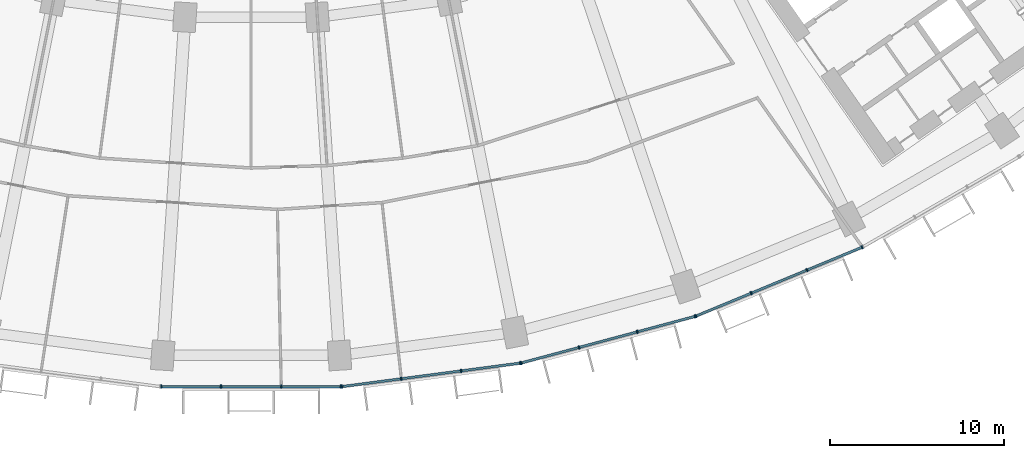
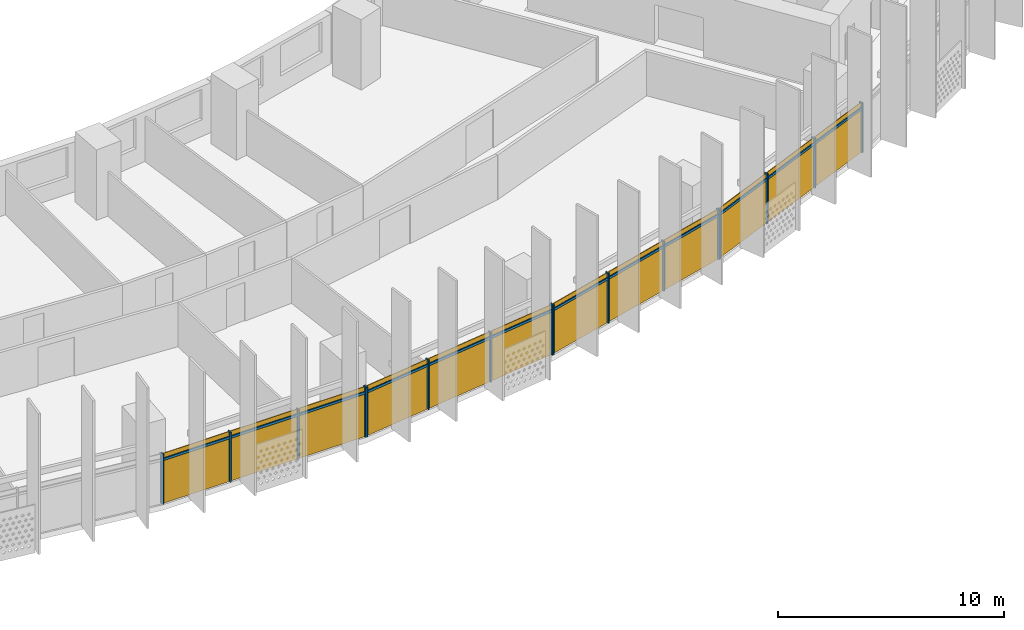
# One storey, part 22 of 33: 28 members, 4 curtain walls.
"""IFC4 building model written with IfcOpenShell, lengths in metres."""

from ifc_helpers import new_model, si_unit, direction, frame, origin, origin_2d, place, context, subcontext, project, spatial, rectangle, extrude, material, material_profile, profile_set, type_object, element, aggregate, save


model = new_model("IFC4")

# Units and contexts
model_context = context("Model", 3, precision=1e-05, world=origin(), true_north=direction((0.0, 1.0)))
body_context = subcontext(model_context, "Body", "Model", "MODEL_VIEW")
ifc_project = project(units=[si_unit("LENGTHUNIT", "METRE"), si_unit("AREAUNIT", "SQUARE_METRE"), si_unit("VOLUMEUNIT", "CUBIC_METRE"), si_unit("PLANEANGLEUNIT", "RADIAN"), si_unit("MASSUNIT", "GRAM", prefix="KILO")], contexts=[model_context])

# Member
ifc_material = material(Name="Aluminium 6063-T6 anodised", Category="aluminium")
ifc_material_profile_1 = material_profile(ifc_material, rectangle(XDim=0.199951171875, YDim=0.070068359375, at=origin_2d()))
ifc_profile_set_1 = profile_set([ifc_material_profile_1], Name="Aluminium 6063-T6 anodised")
member_type_1 = type_object("IfcMemberType", Name="Mullion 70 x 200 aluminium", PredefinedType="MULLION", material=ifc_profile_set_1)
site_placement = place(None, origin())
building_placement = place(site_placement, origin())
storey_placement = place(building_placement, frame((0.0, 0.0, 78.5)))
member_1_placement = place(storey_placement, frame((-5.17431640625, -79.37939453125, 0.0), z_axis=(0.0, 0.0, 1.0), x_axis=(0.0, 1.0, 0.0)))
member_1 = element("IfcMember", 1, at=member_1_placement, type_object=member_type_1, Name="e-cw1-L16-out08/M00", PredefinedType="MULLION", context=body_context, shape_type="SweptSolid", body=[
    extrude(rectangle(XDim=0.199951171875, YDim=0.070068359375, at=origin_2d()), origin(), (0.0, 0.0, 1.0), 2.699951171875),
])

member_2_placement = place(storey_placement, frame((-1.736572265625, -79.37939453125, 0.0), z_axis=(0.0, 0.0, 1.0), x_axis=(0.0, 1.0, 0.0)))
member_2 = element("IfcMember", 2, at=member_2_placement, type_object=member_type_1, Name="e-cw1-L16-out08/M01", PredefinedType="MULLION", context=body_context, shape_type="SweptSolid", body=[
    extrude(rectangle(XDim=0.199951171875, YDim=0.070068359375, at=origin_2d()), origin(), (0.0, 0.0, 1.0), 2.699951171875),
])

member_3_placement = place(storey_placement, frame((1.736572265625, -79.37939453125, 0.0), z_axis=(0.0, 0.0, 1.0), x_axis=(0.0, 1.0, 0.0)))
member_3 = element("IfcMember", 3, at=member_3_placement, type_object=member_type_1, Name="e-cw1-L16-out08/M02", PredefinedType="MULLION", context=body_context, shape_type="SweptSolid", body=[
    extrude(rectangle(XDim=0.199951171875, YDim=0.070068359375, at=origin_2d()), origin(), (0.0, 0.0, 1.0), 2.699951171875),
])

member_4_placement = place(storey_placement, frame((5.17431640625, -79.37939453125, 0.0), z_axis=(0.0, 0.0, 1.0), x_axis=(0.0, 1.0, 0.0)))
member_4 = element("IfcMember", 4, at=member_4_placement, type_object=member_type_1, Name="e-cw1-L16-out08/M03", PredefinedType="MULLION", context=body_context, shape_type="SweptSolid", body=[
    extrude(rectangle(XDim=0.199951171875, YDim=0.070068359375, at=origin_2d()), origin(), (0.0, 0.0, 1.0), 2.699951171875),
])

member_5_placement = place(storey_placement, frame((5.23095703125, -79.375732421875, 0.0), z_axis=(0.0, 0.0, 1.0), x_axis=(-0.13052619222, 0.991444861374, 0.0)))
member_5 = element("IfcMember", 5, at=member_5_placement, type_object=member_type_1, Name="e-cw1-L16-out09/M00", PredefinedType="MULLION", context=body_context, shape_type="SweptSolid", body=[
    extrude(rectangle(XDim=0.199951171875, YDim=0.070068359375, at=origin_2d()), origin(), (0.0, 0.0, 1.0), 2.699951171875),
])

member_6_placement = place(storey_placement, frame((8.639404296875, -78.927001953125, 0.0), z_axis=(0.0, 0.0, 1.0), x_axis=(-0.13052619222, 0.991444861374, 0.0)))
member_6 = element("IfcMember", 6, at=member_6_placement, type_object=member_type_1, Name="e-cw1-L16-out09/M01", PredefinedType="MULLION", context=body_context, shape_type="SweptSolid", body=[
    extrude(rectangle(XDim=0.199951171875, YDim=0.070068359375, at=origin_2d()), origin(), (0.0, 0.0, 1.0), 2.699951171875),
])

member_7_placement = place(storey_placement, frame((12.082763671875, -78.4736328125, 0.0), z_axis=(0.0, 0.0, 1.0), x_axis=(-0.13052619222, 0.991444861374, 0.0)))
member_7 = element("IfcMember", 7, at=member_7_placement, type_object=member_type_1, Name="e-cw1-L16-out09/M02", PredefinedType="MULLION", context=body_context, shape_type="SweptSolid", body=[
    extrude(rectangle(XDim=0.199951171875, YDim=0.070068359375, at=origin_2d()), origin(), (0.0, 0.0, 1.0), 2.699951171875),
])

member_8_placement = place(storey_placement, frame((15.4912109375, -78.02490234375, 0.0), z_axis=(0.0, 0.0, 1.0), x_axis=(-0.13052619222, 0.991444861374, 0.0)))
member_8 = element("IfcMember", 8, at=member_8_placement, type_object=member_type_1, Name="e-cw1-L16-out09/M03", PredefinedType="MULLION", context=body_context, shape_type="SweptSolid", body=[
    extrude(rectangle(XDim=0.199951171875, YDim=0.070068359375, at=origin_2d()), origin(), (0.0, 0.0, 1.0), 2.699951171875),
])

member_9_placement = place(storey_placement, frame((15.546875, -78.013916015625, 0.0), z_axis=(0.0, 0.0, 1.0), x_axis=(-0.258819045103, 0.965925826289, 0.0)))
member_9 = element("IfcMember", 9, at=member_9_placement, type_object=member_type_1, Name="e-cw1-L16-out10/M00", PredefinedType="MULLION", context=body_context, shape_type="SweptSolid", body=[
    extrude(rectangle(XDim=0.199951171875, YDim=0.070068359375, at=origin_2d()), origin(), (0.0, 0.0, 1.0), 2.699951171875),
])

member_10_placement = place(storey_placement, frame((18.86767578125, -77.1240234375, 0.0), z_axis=(0.0, 0.0, 1.0), x_axis=(-0.258819045103, 0.965925826289, 0.0)))
member_10 = element("IfcMember", 10, at=member_10_placement, type_object=member_type_1, Name="e-cw1-L16-out10/M01", PredefinedType="MULLION", context=body_context, shape_type="SweptSolid", body=[
    extrude(rectangle(XDim=0.199951171875, YDim=0.070068359375, at=origin_2d()), origin(), (0.0, 0.0, 1.0), 2.699951171875),
])

member_11_placement = place(storey_placement, frame((22.22216796875, -76.225341796875, 0.0), z_axis=(0.0, 0.0, 1.0), x_axis=(-0.258819045103, 0.965925826289, 0.0)))
member_11 = element("IfcMember", 11, at=member_11_placement, type_object=member_type_1, Name="e-cw1-L16-out10/M02", PredefinedType="MULLION", context=body_context, shape_type="SweptSolid", body=[
    extrude(rectangle(XDim=0.199951171875, YDim=0.070068359375, at=origin_2d()), origin(), (0.0, 0.0, 1.0), 2.699951171875),
])

member_12_placement = place(storey_placement, frame((25.54296875, -75.33544921875, 0.0), z_axis=(0.0, 0.0, 1.0), x_axis=(-0.258819045103, 0.965925826289, 0.0)))
member_12 = element("IfcMember", 12, at=member_12_placement, type_object=member_type_1, Name="e-cw1-L16-out10/M03", PredefinedType="MULLION", context=body_context, shape_type="SweptSolid", body=[
    extrude(rectangle(XDim=0.199951171875, YDim=0.070068359375, at=origin_2d()), origin(), (0.0, 0.0, 1.0), 2.699951171875),
])

member_13_placement = place(storey_placement, frame((25.5966796875, -75.317138671875, 0.0), z_axis=(0.0, 0.0, 1.0), x_axis=(-0.382683432365, 0.923879532511, 0.0)))
member_13 = element("IfcMember", 13, at=member_13_placement, type_object=member_type_1, Name="e-cw1-L16-out11/M00", PredefinedType="MULLION", context=body_context, shape_type="SweptSolid", body=[
    extrude(rectangle(XDim=0.199951171875, YDim=0.070068359375, at=origin_2d()), origin(), (0.0, 0.0, 1.0), 2.699951171875),
])

member_14_placement = place(storey_placement, frame((28.77294921875, -74.00146484375, 0.0), z_axis=(0.0, 0.0, 1.0), x_axis=(-0.382683432365, 0.923879532511, 0.0)))
member_14 = element("IfcMember", 14, at=member_14_placement, type_object=member_type_1, Name="e-cw1-L16-out11/M01", PredefinedType="MULLION", context=body_context, shape_type="SweptSolid", body=[
    extrude(rectangle(XDim=0.199951171875, YDim=0.070068359375, at=origin_2d()), origin(), (0.0, 0.0, 1.0), 2.699951171875),
])

member_15_placement = place(storey_placement, frame((31.9814453125, -72.672607421875, 0.0), z_axis=(0.0, 0.0, 1.0), x_axis=(-0.382683432365, 0.923879532511, 0.0)))
member_15 = element("IfcMember", 15, at=member_15_placement, type_object=member_type_1, Name="e-cw1-L16-out11/M02", PredefinedType="MULLION", context=body_context, shape_type="SweptSolid", body=[
    extrude(rectangle(XDim=0.199951171875, YDim=0.070068359375, at=origin_2d()), origin(), (0.0, 0.0, 1.0), 2.699951171875),
])

member_16_placement = place(storey_placement, frame((35.15771484375, -71.35693359375, 0.0), z_axis=(0.0, 0.0, 1.0), x_axis=(-0.382683432365, 0.923879532511, 0.0)))
member_16 = element("IfcMember", 16, at=member_16_placement, type_object=member_type_1, Name="e-cw1-L16-out11/M03", PredefinedType="MULLION", context=body_context, shape_type="SweptSolid", body=[
    extrude(rectangle(XDim=0.199951171875, YDim=0.070068359375, at=origin_2d()), origin(), (0.0, 0.0, 1.0), 2.699951171875),
])

ifc_material_profile_2 = material_profile(ifc_material, rectangle(XDim=0.139892578125, YDim=0.1201171875, at=origin_2d()))
ifc_profile_set_2 = profile_set([ifc_material_profile_2], Name="Aluminium 6063-T6 anodised")
member_type_2 = type_object("IfcMemberType", Name="Transom 120 x 140 aluminium", PredefinedType="USERDEFINED", material=ifc_profile_set_2)
member_17_placement = place(storey_placement, frame((-5.139404296875, -79.37939453125, 2.39990234375), z_axis=(1.0, 0.0, 0.0), x_axis=(0.0, 1.0, 0.0)))
member_17 = element("IfcMember", 17, at=member_17_placement, type_object=member_type_2, Name="e-cw1-L16-out08/T00", ObjectType="TRANSOM", PredefinedType="USERDEFINED", context=body_context, shape_type="SweptSolid", body=[
    extrude(rectangle(XDim=0.139892578125, YDim=0.1201171875, at=origin_2d()), origin(), (0.0, 0.0, 1.0), 3.367919921875),
])

member_18_placement = place(storey_placement, frame((-1.701416015625, -79.37939453125, 2.39990234375), z_axis=(1.0, 0.0, 0.0), x_axis=(0.0, 1.0, 0.0)))
member_18 = element("IfcMember", 18, at=member_18_placement, type_object=member_type_2, Name="e-cw1-L16-out08/T01", ObjectType="TRANSOM", PredefinedType="USERDEFINED", context=body_context, shape_type="SweptSolid", body=[
    extrude(rectangle(XDim=0.139892578125, YDim=0.1201171875, at=origin_2d()), origin(), (0.0, 0.0, 1.0), 3.40283203125),
])

member_19_placement = place(storey_placement, frame((1.771484375, -79.37939453125, 2.39990234375), z_axis=(1.0, 0.0, 0.0), x_axis=(0.0, 1.0, 0.0)))
member_19 = element("IfcMember", 19, at=member_19_placement, type_object=member_type_2, Name="e-cw1-L16-out08/T02", ObjectType="TRANSOM", PredefinedType="USERDEFINED", context=body_context, shape_type="SweptSolid", body=[
    extrude(rectangle(XDim=0.139892578125, YDim=0.1201171875, at=origin_2d()), origin(), (0.0, 0.0, 1.0), 3.367919921875),
])

member_20_placement = place(storey_placement, frame((5.265625, -79.37109375, 2.39990234375), z_axis=(0.991450594138, 0.130482640159, 0.0), x_axis=(-0.130482640159, 0.991450594138, 0.0)))
member_20 = element("IfcMember", 20, at=member_20_placement, type_object=member_type_2, Name="e-cw1-L16-out09/T00", ObjectType="TRANSOM", PredefinedType="USERDEFINED", context=body_context, shape_type="SweptSolid", body=[
    extrude(rectangle(XDim=0.139892578125, YDim=0.1201171875, at=origin_2d()), origin(), (0.0, 0.0, 1.0), 3.367919921875),
])

member_21_placement = place(storey_placement, frame((8.67431640625, -78.92236328125, 2.39990234375), z_axis=(0.991447700941, 0.130504621753, 0.0), x_axis=(-0.130504621753, 0.991447700941, 0.0)))
member_21 = element("IfcMember", 21, at=member_21_placement, type_object=member_type_2, Name="e-cw1-L16-out09/T01", ObjectType="TRANSOM", PredefinedType="USERDEFINED", context=body_context, shape_type="SweptSolid", body=[
    extrude(rectangle(XDim=0.139892578125, YDim=0.1201171875, at=origin_2d()), origin(), (0.0, 0.0, 1.0), 3.40283203125),
])

member_22_placement = place(storey_placement, frame((12.117431640625, -78.46923828125, 2.39990234375), z_axis=(0.9914412138, 0.130553895303, 0.0), x_axis=(-0.130553895303, 0.9914412138, 0.0)))
member_22 = element("IfcMember", 22, at=member_22_placement, type_object=member_type_2, Name="e-cw1-L16-out09/T02", ObjectType="TRANSOM", PredefinedType="USERDEFINED", context=body_context, shape_type="SweptSolid", body=[
    extrude(rectangle(XDim=0.139892578125, YDim=0.1201171875, at=origin_2d()), origin(), (0.0, 0.0, 1.0), 3.367919921875),
])

member_23_placement = place(storey_placement, frame((15.58056640625, -78.0048828125, 2.39990234375), z_axis=(0.965915368772, 0.258858069935, 0.0), x_axis=(-0.258858069935, 0.965915368772, 0.0)))
member_23 = element("IfcMember", 23, at=member_23_placement, type_object=member_type_2, Name="e-cw1-L16-out10/T00", ObjectType="TRANSOM", PredefinedType="USERDEFINED", context=body_context, shape_type="SweptSolid", body=[
    extrude(rectangle(XDim=0.139892578125, YDim=0.1201171875, at=origin_2d()), origin(), (0.0, 0.0, 1.0), 3.367919921875),
])

member_24_placement = place(storey_placement, frame((18.9013671875, -77.114990234375, 2.39990234375), z_axis=(0.965937804901, 0.258774336176, 0.0), x_axis=(-0.258774336176, 0.965937804901, 0.0)))
member_24 = element("IfcMember", 24, at=member_24_placement, type_object=member_type_2, Name="e-cw1-L16-out10/T01", ObjectType="TRANSOM", PredefinedType="USERDEFINED", context=body_context, shape_type="SweptSolid", body=[
    extrude(rectangle(XDim=0.139892578125, YDim=0.1201171875, at=origin_2d()), origin(), (0.0, 0.0, 1.0), 3.403076171875),
])

member_25_placement = place(storey_placement, frame((22.256103515625, -76.21630859375, 2.39990234375), z_axis=(0.965915368772, 0.258858069935, 0.0), x_axis=(-0.258858069935, 0.965915368772, 0.0)))
member_25 = element("IfcMember", 25, at=member_25_placement, type_object=member_type_2, Name="e-cw1-L16-out10/T02", ObjectType="TRANSOM", PredefinedType="USERDEFINED", context=body_context, shape_type="SweptSolid", body=[
    extrude(rectangle(XDim=0.139892578125, YDim=0.1201171875, at=origin_2d()), origin(), (0.0, 0.0, 1.0), 3.367919921875),
])

member_26_placement = place(storey_placement, frame((25.629150390625, -75.3037109375, 2.39990234375), z_axis=(0.923872807855, 0.382699666719, 0.0), x_axis=(-0.382699666719, 0.923872807855, 0.0)))
member_26 = element("IfcMember", 26, at=member_26_placement, type_object=member_type_2, Name="e-cw1-L16-out11/T00", ObjectType="TRANSOM", PredefinedType="USERDEFINED", context=body_context, shape_type="SweptSolid", body=[
    extrude(rectangle(XDim=0.139892578125, YDim=0.1201171875, at=origin_2d()), origin(), (0.0, 0.0, 1.0), 3.36767578125),
])

member_27_placement = place(storey_placement, frame((28.80517578125, -73.98828125, 2.39990234375), z_axis=(0.92388567708, 0.382668597728, 0.0), x_axis=(-0.382668597728, 0.92388567708, 0.0)))
member_27 = element("IfcMember", 27, at=member_27_placement, type_object=member_type_2, Name="e-cw1-L16-out11/T01", ObjectType="TRANSOM", PredefinedType="USERDEFINED", context=body_context, shape_type="SweptSolid", body=[
    extrude(rectangle(XDim=0.139892578125, YDim=0.1201171875, at=origin_2d()), origin(), (0.0, 0.0, 1.0), 3.403076171875),
])

member_28_placement = place(storey_placement, frame((32.013916015625, -72.6591796875, 2.39990234375), z_axis=(0.923872807855, 0.382699666719, 0.0), x_axis=(-0.382699666719, 0.923872807855, 0.0)))
member_28 = element("IfcMember", 28, at=member_28_placement, type_object=member_type_2, Name="e-cw1-L16-out11/T02", ObjectType="TRANSOM", PredefinedType="USERDEFINED", context=body_context, shape_type="SweptSolid", body=[
    extrude(rectangle(XDim=0.139892578125, YDim=0.1201171875, at=origin_2d()), origin(), (0.0, 0.0, 1.0), 3.36767578125),
])

# Site, building, storey
site = spatial("IfcSite", under=ifc_project, at=site_placement, CompositionType="ELEMENT")
building = spatial("IfcBuilding", under=site, at=building_placement, Name="Qamariyya Broadcast Tower", CompositionType="ELEMENT")
storey = spatial("IfcBuildingStorey", under=building, at=storey_placement, Name="L16", CompositionType="ELEMENT", Elevation=78.5)

# Curtain wall
curtain_wall_type = type_object("IfcCurtainWallType", Name="Unitised curtain wall, anodised aluminium", PredefinedType="NOTDEFINED", material=ifc_material)
curtain_wall_1_placement = place(storey_placement, origin())
curtain_wall_1 = element("IfcCurtainWall", 29, at=curtain_wall_1_placement, inside=storey, type_object=curtain_wall_type, Name="e-cw1-L16-out08", PredefinedType="NOTDEFINED", context=body_context, shape_type="SweptSolid", body=[
    extrude(rectangle(XDim=3.367919921875, YDim=0.031982421875, at=origin_2d()), frame((-3.45556640625, -79.37939453125, 0.0), x_axis=(1.0, 0.0, 0.0)), (0.0, 0.0, 1.0), 2.340087890625),
    extrude(rectangle(XDim=3.367919921875, YDim=0.031982421875, at=origin_2d()), frame((-3.45556640625, -79.37939453125, 2.4599609375), x_axis=(1.0, 0.0, 0.0)), (0.0, 0.0, 1.0), 0.239990234375),
    extrude(rectangle(XDim=3.403076171875, YDim=0.031982421875, at=origin_2d()), frame((0.0, -79.37939453125, 0.0), x_axis=(1.0, 0.0, 0.0)), (0.0, 0.0, 1.0), 2.340087890625),
    extrude(rectangle(XDim=3.403076171875, YDim=0.031982421875, at=origin_2d()), frame((0.0, -79.37939453125, 2.4599609375), x_axis=(1.0, 0.0, 0.0)), (0.0, 0.0, 1.0), 0.239990234375),
    extrude(rectangle(XDim=3.367919921875, YDim=0.031982421875, at=origin_2d()), frame((3.45556640625, -79.37939453125, 0.0), x_axis=(1.0, 0.0, 0.0)), (0.0, 0.0, 1.0), 2.340087890625),
    extrude(rectangle(XDim=3.367919921875, YDim=0.031982421875, at=origin_2d()), frame((3.45556640625, -79.37939453125, 2.4599609375), x_axis=(1.0, 0.0, 0.0)), (0.0, 0.0, 1.0), 0.239990234375),
])

aggregate(curtain_wall_1, [member_1, member_2, member_3, member_4, member_17, member_18, member_19])

curtain_wall_2_placement = place(storey_placement, origin())
curtain_wall_2 = element("IfcCurtainWall", 30, at=curtain_wall_2_placement, inside=storey, type_object=curtain_wall_type, Name="e-cw1-L16-out09", PredefinedType="NOTDEFINED", context=body_context, shape_type="SweptSolid", body=[
    extrude(rectangle(XDim=3.367919921875, YDim=0.031982421875, at=origin_2d()), frame((6.935302734375, -79.1513671875, 0.0), x_axis=(0.991445519925, 0.130521189931, 0.0)), (0.0, 0.0, 1.0), 2.340087890625),
    extrude(rectangle(XDim=3.367919921875, YDim=0.031982421875, at=origin_2d()), frame((6.935302734375, -79.1513671875, 2.4599609375), x_axis=(0.991445519925, 0.130521189931, 0.0)), (0.0, 0.0, 1.0), 0.239990234375),
    extrude(rectangle(XDim=3.40283203125, YDim=0.031982421875, at=origin_2d()), frame((10.361083984375, -78.700439453125, 0.0), x_axis=(0.991445519925, 0.130521189931, 0.0)), (0.0, 0.0, 1.0), 2.340087890625),
    extrude(rectangle(XDim=3.40283203125, YDim=0.031982421875, at=origin_2d()), frame((10.361083984375, -78.700439453125, 2.4599609375), x_axis=(0.991445519925, 0.130521189931, 0.0)), (0.0, 0.0, 1.0), 0.239990234375),
    extrude(rectangle(XDim=3.367919921875, YDim=0.031982421875, at=origin_2d()), frame((13.786865234375, -78.24951171875, 0.0), x_axis=(0.991445519925, 0.130521189931, 0.0)), (0.0, 0.0, 1.0), 2.340087890625),
    extrude(rectangle(XDim=3.367919921875, YDim=0.031982421875, at=origin_2d()), frame((13.786865234375, -78.24951171875, 2.4599609375), x_axis=(0.991445519925, 0.130521189931, 0.0)), (0.0, 0.0, 1.0), 0.239990234375),
])

aggregate(curtain_wall_2, [member_5, member_6, member_7, member_8, member_20, member_21, member_22])

curtain_wall_3_placement = place(storey_placement, origin())
curtain_wall_3 = element("IfcCurtainWall", 31, at=curtain_wall_3_placement, inside=storey, type_object=curtain_wall_type, Name="e-cw1-L16-out10", PredefinedType="NOTDEFINED", context=body_context, shape_type="SweptSolid", body=[
    extrude(rectangle(XDim=3.367919921875, YDim=0.031982421875, at=origin_2d()), frame((17.207275390625, -77.569091796875, 0.0), x_axis=(0.965925039578, 0.258821981129, 0.0)), (0.0, 0.0, 1.0), 2.340087890625),
    extrude(rectangle(XDim=3.367919921875, YDim=0.031982421875, at=origin_2d()), frame((17.207275390625, -77.569091796875, 2.4599609375), x_axis=(0.965925039578, 0.258821981129, 0.0)), (0.0, 0.0, 1.0), 0.239990234375),
    extrude(rectangle(XDim=3.40283203125, YDim=0.031982421875, at=origin_2d()), frame((20.544921875, -76.6748046875, 0.0), x_axis=(0.965925039578, 0.258821981129, 0.0)), (0.0, 0.0, 1.0), 2.340087890625),
    extrude(rectangle(XDim=3.40283203125, YDim=0.031982421875, at=origin_2d()), frame((20.544921875, -76.6748046875, 2.4599609375), x_axis=(0.965925039578, 0.258821981129, 0.0)), (0.0, 0.0, 1.0), 0.239990234375),
    extrude(rectangle(XDim=3.367919921875, YDim=0.031982421875, at=origin_2d()), frame((23.882568359375, -75.7802734375, 0.0), x_axis=(0.965925039578, 0.258821981129, 0.0)), (0.0, 0.0, 1.0), 2.340087890625),
    extrude(rectangle(XDim=3.367919921875, YDim=0.031982421875, at=origin_2d()), frame((23.882568359375, -75.7802734375, 2.4599609375), x_axis=(0.965925039578, 0.258821981129, 0.0)), (0.0, 0.0, 1.0), 0.239990234375),
])

aggregate(curtain_wall_3, [member_9, member_10, member_11, member_12, member_23, member_24, member_25])

curtain_wall_4_placement = place(storey_placement, origin())
curtain_wall_4 = element("IfcCurtainWall", 32, at=curtain_wall_4_placement, inside=storey, type_object=curtain_wall_type, Name="e-cw1-L16-out11", PredefinedType="NOTDEFINED", context=body_context, shape_type="SweptSolid", body=[
    extrude(rectangle(XDim=3.367919921875, YDim=0.031982421875, at=origin_2d()), frame((27.184814453125, -74.659423828125, 0.0), x_axis=(0.92387774222, 0.382687754482, 0.0)), (0.0, 0.0, 1.0), 2.340087890625),
    extrude(rectangle(XDim=3.367919921875, YDim=0.031982421875, at=origin_2d()), frame((27.184814453125, -74.659423828125, 2.4599609375), x_axis=(0.92387774222, 0.382687754482, 0.0)), (0.0, 0.0, 1.0), 0.239990234375),
    extrude(rectangle(XDim=3.40283203125, YDim=0.031982421875, at=origin_2d()), frame((30.377197265625, -73.3369140625, 0.0), x_axis=(0.92387774222, 0.382687754482, 0.0)), (0.0, 0.0, 1.0), 2.340087890625),
    extrude(rectangle(XDim=3.40283203125, YDim=0.031982421875, at=origin_2d()), frame((30.377197265625, -73.3369140625, 2.4599609375), x_axis=(0.92387774222, 0.382687754482, 0.0)), (0.0, 0.0, 1.0), 0.239990234375),
    extrude(rectangle(XDim=3.367919921875, YDim=0.031982421875, at=origin_2d()), frame((33.569580078125, -72.0146484375, 0.0), x_axis=(0.92387774222, 0.382687754482, 0.0)), (0.0, 0.0, 1.0), 2.340087890625),
    extrude(rectangle(XDim=3.367919921875, YDim=0.031982421875, at=origin_2d()), frame((33.569580078125, -72.0146484375, 2.4599609375), x_axis=(0.92387774222, 0.382687754482, 0.0)), (0.0, 0.0, 1.0), 0.239990234375),
])

aggregate(curtain_wall_4, [member_13, member_14, member_15, member_16, member_26, member_27, member_28])

save(model, "model.ifc")
